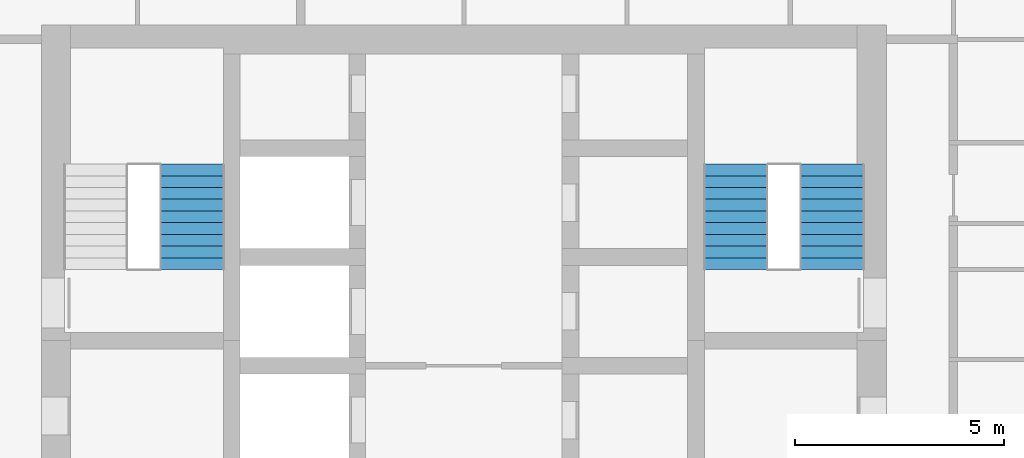
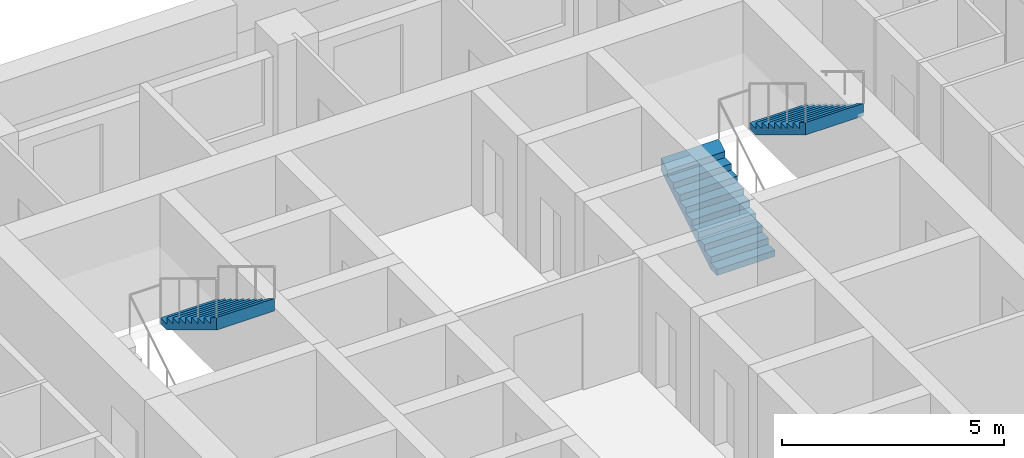
# One storey, part 15 of 17: 3 stair flights, 2 elements without a shape of their own.
"""IFC4 building model written with IfcOpenShell, lengths in metres."""

from ifc_helpers import new_model, si_unit, direction, frame, origin, place, context, subcontext, project, spatial, triangles, material, type_object, element, aggregate, save


model = new_model("IFC4")

# Units and contexts
model_context = context("Model", 3, precision=1e-05, world=origin(), true_north=direction((0.0, 1.0)))
body_context = subcontext(model_context, "Body", "Model", "MODEL_VIEW")
ifc_project = project(units=[si_unit("LENGTHUNIT", "METRE"), si_unit("AREAUNIT", "SQUARE_METRE"), si_unit("VOLUMEUNIT", "CUBIC_METRE"), si_unit("PLANEANGLEUNIT", "RADIAN"), si_unit("MASSUNIT", "GRAM", prefix="KILO")], contexts=[model_context])

# Site, building, storey
site_placement = place(None, origin())
site = spatial("IfcSite", under=ifc_project, at=site_placement, CompositionType="ELEMENT")
building_placement = place(site_placement, origin())
building = spatial("IfcBuilding", under=site, at=building_placement, Name="Ludao Terraces", CompositionType="ELEMENT")
storey_placement = place(building_placement, frame((0.0, 0.0, 39.89990234375)))
storey = spatial("IfcBuildingStorey", under=building, at=storey_placement, Name="L10", CompositionType="ELEMENT", Elevation=39.89990234375)

# Stair, stair flight
ifc_material = material(Name="Concrete C40", Category="concrete")
stair_type = type_object("IfcStairType", Name="INT Stair", PredefinedType="HALF_TURN_STAIR", material=ifc_material)
stair_1_placement = place(storey_placement, origin())
stair_1 = element("IfcStair", 1, at=stair_1_placement, inside=storey, type_object=stair_type, Name="EXIT STAIR 1", PredefinedType="HALF_TURN_STAIR")
stair_flight_type = type_object("IfcStairFlightType", Name="INT Stair flight", PredefinedType="STRAIGHT", material=ifc_material)
stair_flight_1_placement = place(storey_placement, frame((78.5, 81.52001953125, 1.7001953125), z_axis=(0.0, 0.0, 1.0), x_axis=(0.0, -1.0, 0.0)))
stair_flight_1 = element("IfcStairFlight", 2, at=stair_flight_1_placement, type_object=stair_flight_type, Name="ST1 flight 2", NumberOfRisers=10, NumberOfTreads=9, PredefinedType="STRAIGHT", RiserHeight=0.17, TreadLength=0.28, context=body_context, shape_type="Tessellation", body=[
    triangles([(0.0, -0.75, 0.0), (0.0, -0.5, 0.0), (0.0, -0.25, 0.0), (0.0, 0.0, 0.0), (0.0, 0.25, 0.0), (0.0, 0.5, 0.0), (0.0, 0.75, 0.0), (0.0, -0.75, 0.169921875), (0.0, -0.5, 0.169921875), (0.0, -0.25, 0.169921875), (0.0, 0.0, 0.169921875), (0.0, 0.25, 0.169921875), (0.0, 0.5, 0.169921875), (0.0, 0.75, 0.169921875), (0.280029296875, -0.75, 0.169921875), (0.280029296875, -0.5, 0.169921875), (0.280029296875, -0.25, 0.169921875), (0.280029296875, 0.0, 0.169921875), (0.280029296875, 0.25, 0.169921875), (0.280029296875, 0.5, 0.169921875), (0.280029296875, 0.75, 0.169921875), (0.280029296875, -0.75, 0.340087890625), (0.280029296875, -0.5, 0.340087890625), (0.280029296875, -0.25, 0.340087890625), (0.280029296875, 0.0, 0.340087890625), (0.280029296875, 0.25, 0.340087890625), (0.280029296875, 0.5, 0.340087890625), (0.280029296875, 0.75, 0.340087890625), (0.56005859375, -0.75, 0.340087890625), (0.56005859375, -0.5, 0.340087890625), (0.56005859375, -0.25, 0.340087890625), (0.56005859375, 0.0, 0.340087890625), (0.56005859375, 0.25, 0.340087890625), (0.56005859375, 0.5, 0.340087890625), (0.56005859375, 0.75, 0.340087890625), (0.56005859375, -0.75, 0.510009765625), (0.56005859375, -0.5, 0.510009765625), (0.56005859375, -0.25, 0.510009765625), (0.56005859375, 0.0, 0.510009765625), (0.56005859375, 0.25, 0.510009765625), (0.56005859375, 0.5, 0.510009765625), (0.56005859375, 0.75, 0.510009765625), (0.840087890625, -0.75, 0.510009765625), (0.840087890625, -0.5, 0.510009765625), (0.840087890625, -0.25, 0.510009765625), (0.840087890625, 0.0, 0.510009765625), (0.840087890625, 0.25, 0.510009765625), (0.840087890625, 0.5, 0.510009765625), (0.840087890625, 0.75, 0.510009765625), (0.840087890625, -0.75, 0.679931640625), (0.840087890625, -0.5, 0.679931640625), (0.840087890625, -0.25, 0.679931640625), (0.840087890625, 0.0, 0.679931640625), (0.840087890625, 0.25, 0.679931640625), (0.840087890625, 0.5, 0.679931640625), (0.840087890625, 0.75, 0.679931640625), (1.1201171875, -0.75, 0.679931640625), (1.1201171875, -0.5, 0.679931640625), (1.1201171875, -0.25, 0.679931640625), (1.1201171875, 0.0, 0.679931640625), (1.1201171875, 0.25, 0.679931640625), (1.1201171875, 0.5, 0.679931640625), (1.1201171875, 0.75, 0.679931640625), (1.1201171875, -0.75, 0.85009765625), (1.1201171875, -0.5, 0.85009765625), (1.1201171875, -0.25, 0.85009765625), (1.1201171875, 0.0, 0.85009765625), (1.1201171875, 0.25, 0.85009765625), (1.1201171875, 0.5, 0.85009765625), (1.1201171875, 0.75, 0.85009765625), (1.39990234375, -0.75, 0.85009765625), (1.39990234375, -0.5, 0.85009765625), (1.39990234375, -0.25, 0.85009765625), (1.39990234375, 0.0, 0.85009765625), (1.39990234375, 0.25, 0.85009765625), (1.39990234375, 0.5, 0.85009765625), (1.39990234375, 0.75, 0.85009765625), (1.39990234375, -0.75, 1.02001953125), (1.39990234375, -0.5, 1.02001953125), (1.39990234375, -0.25, 1.02001953125), (1.39990234375, 0.0, 1.02001953125), (1.39990234375, 0.25, 1.02001953125), (1.39990234375, 0.5, 1.02001953125), (1.39990234375, 0.75, 1.02001953125), (1.679931640625, -0.75, 1.02001953125), (1.679931640625, -0.5, 1.02001953125), (1.679931640625, -0.25, 1.02001953125), (1.679931640625, 0.0, 1.02001953125), (1.679931640625, 0.25, 1.02001953125), (1.679931640625, 0.5, 1.02001953125), (1.679931640625, 0.75, 1.02001953125), (1.679931640625, -0.75, 1.18994140625), (1.679931640625, -0.5, 1.18994140625), (1.679931640625, -0.25, 1.18994140625), (1.679931640625, 0.0, 1.18994140625), (1.679931640625, 0.25, 1.18994140625), (1.679931640625, 0.5, 1.18994140625), (1.679931640625, 0.75, 1.18994140625), (1.9599609375, -0.75, 1.18994140625), (1.9599609375, -0.5, 1.18994140625), (1.9599609375, -0.25, 1.18994140625), (1.9599609375, 0.0, 1.18994140625), (1.9599609375, 0.25, 1.18994140625), (1.9599609375, 0.5, 1.18994140625), (1.9599609375, 0.75, 1.18994140625), (1.9599609375, -0.75, 1.360107421875), (1.9599609375, -0.5, 1.360107421875), (1.9599609375, -0.25, 1.360107421875), (1.9599609375, 0.0, 1.360107421875), (1.9599609375, 0.25, 1.360107421875), (1.9599609375, 0.5, 1.360107421875), (1.9599609375, 0.75, 1.360107421875), (2.239990234375, -0.75, 1.360107421875), (2.239990234375, -0.5, 1.360107421875), (2.239990234375, -0.25, 1.360107421875), (2.239990234375, 0.0, 1.360107421875), (2.239990234375, 0.25, 1.360107421875), (2.239990234375, 0.5, 1.360107421875), (2.239990234375, 0.75, 1.360107421875), (2.239990234375, -0.75, 1.530029296875), (2.239990234375, -0.5, 1.530029296875), (2.239990234375, -0.25, 1.530029296875), (2.239990234375, 0.0, 1.530029296875), (2.239990234375, 0.25, 1.530029296875), (2.239990234375, 0.5, 1.530029296875), (2.239990234375, 0.75, 1.530029296875), (2.52001953125, -0.75, 1.699951171875), (2.52001953125, -0.5, 1.699951171875), (2.52001953125, -0.25, 1.699951171875), (2.52001953125, 0.0, 1.699951171875), (2.52001953125, 0.25, 1.699951171875), (2.52001953125, 0.5, 1.699951171875), (2.52001953125, 0.75, 1.699951171875), (2.52001953125, -0.75, 1.354736328125), (2.52001953125, -0.5, 1.354736328125), (2.52001953125, -0.25, 1.354736328125), (2.52001953125, 0.0, 1.354736328125), (2.52001953125, 0.25, 1.354736328125), (2.52001953125, 0.5, 1.354736328125), (2.52001953125, 0.75, 1.354736328125), (0.288818359375, -0.75, 0.0), (0.288818359375, -0.5, 0.0), (0.288818359375, -0.25, 0.0), (0.288818359375, 0.0, 0.0), (0.288818359375, 0.25, 0.0), (0.288818359375, 0.5, 0.0), (0.288818359375, 0.75, 0.0)], [[1, 141, 134], [7, 140, 147], [134, 127, 120], [140, 126, 133], [134, 120, 113], [140, 119, 126], [134, 113, 106], [140, 112, 119], [134, 106, 99], [140, 105, 112], [99, 92, 85], [105, 91, 98], [134, 99, 85], [140, 91, 105], [85, 78, 71], [91, 77, 84], [134, 85, 71], [140, 77, 91], [71, 64, 57], [77, 63, 70], [134, 71, 57], [140, 63, 77], [57, 50, 43], [63, 49, 56], [134, 57, 43], [140, 49, 63], [43, 36, 29], [49, 35, 42], [134, 43, 29], [140, 35, 49], [29, 22, 15], [35, 21, 28], [134, 29, 15], [140, 21, 35], [1, 134, 15], [7, 21, 140], [15, 8, 1], [21, 7, 14], [1, 9, 2], [1, 8, 9], [2, 10, 3], [2, 9, 10], [3, 11, 4], [3, 10, 11], [4, 12, 5], [4, 11, 12], [5, 13, 6], [5, 12, 13], [6, 14, 7], [6, 13, 14], [8, 16, 9], [8, 15, 16], [9, 17, 10], [9, 16, 17], [10, 18, 11], [10, 17, 18], [11, 19, 12], [11, 18, 19], [12, 20, 13], [12, 19, 20], [13, 21, 14], [13, 20, 21], [15, 23, 16], [15, 22, 23], [16, 24, 17], [16, 23, 24], [17, 25, 18], [17, 24, 25], [18, 26, 19], [18, 25, 26], [19, 27, 20], [19, 26, 27], [20, 28, 21], [20, 27, 28], [22, 30, 23], [22, 29, 30], [23, 31, 24], [23, 30, 31], [24, 32, 25], [24, 31, 32], [25, 33, 26], [25, 32, 33], [26, 34, 27], [26, 33, 34], [27, 35, 28], [27, 34, 35], [29, 37, 30], [29, 36, 37], [30, 38, 31], [30, 37, 38], [31, 39, 32], [31, 38, 39], [32, 40, 33], [32, 39, 40], [33, 41, 34], [33, 40, 41], [34, 42, 35], [34, 41, 42], [36, 44, 37], [36, 43, 44], [37, 45, 38], [37, 44, 45], [38, 46, 39], [38, 45, 46], [39, 47, 40], [39, 46, 47], [40, 48, 41], [40, 47, 48], [41, 49, 42], [41, 48, 49], [43, 51, 44], [43, 50, 51], [44, 52, 45], [44, 51, 52], [45, 53, 46], [45, 52, 53], [46, 54, 47], [46, 53, 54], [47, 55, 48], [47, 54, 55], [48, 56, 49], [48, 55, 56], [50, 58, 51], [50, 57, 58], [51, 59, 52], [51, 58, 59], [52, 60, 53], [52, 59, 60], [53, 61, 54], [53, 60, 61], [54, 62, 55], [54, 61, 62], [55, 63, 56], [55, 62, 63], [57, 65, 58], [57, 64, 65], [58, 66, 59], [58, 65, 66], [59, 67, 60], [59, 66, 67], [60, 68, 61], [60, 67, 68], [61, 69, 62], [61, 68, 69], [62, 70, 63], [62, 69, 70], [64, 72, 65], [64, 71, 72], [65, 73, 66], [65, 72, 73], [66, 74, 67], [66, 73, 74], [67, 75, 68], [67, 74, 75], [68, 76, 69], [68, 75, 76], [69, 77, 70], [69, 76, 77], [71, 79, 72], [71, 78, 79], [72, 80, 73], [72, 79, 80], [73, 81, 74], [73, 80, 81], [74, 82, 75], [74, 81, 82], [75, 83, 76], [75, 82, 83], [76, 84, 77], [76, 83, 84], [78, 86, 79], [78, 85, 86], [79, 87, 80], [79, 86, 87], [80, 88, 81], [80, 87, 88], [81, 89, 82], [81, 88, 89], [82, 90, 83], [82, 89, 90], [83, 91, 84], [83, 90, 91], [85, 93, 86], [85, 92, 93], [86, 94, 87], [86, 93, 94], [87, 95, 88], [87, 94, 95], [88, 96, 89], [88, 95, 96], [89, 97, 90], [89, 96, 97], [90, 98, 91], [90, 97, 98], [92, 100, 93], [92, 99, 100], [93, 101, 94], [93, 100, 101], [94, 102, 95], [94, 101, 102], [95, 103, 96], [95, 102, 103], [96, 104, 97], [96, 103, 104], [97, 105, 98], [97, 104, 105], [99, 107, 100], [99, 106, 107], [100, 108, 101], [100, 107, 108], [101, 109, 102], [101, 108, 109], [102, 110, 103], [102, 109, 110], [103, 111, 104], [103, 110, 111], [104, 112, 105], [104, 111, 112], [106, 114, 107], [106, 113, 114], [107, 115, 108], [107, 114, 115], [108, 116, 109], [108, 115, 116], [109, 117, 110], [109, 116, 117], [110, 118, 111], [110, 117, 118], [111, 119, 112], [111, 118, 119], [113, 121, 114], [113, 120, 121], [114, 122, 115], [114, 121, 122], [115, 123, 116], [115, 122, 123], [116, 124, 117], [116, 123, 124], [117, 125, 118], [117, 124, 125], [118, 126, 119], [118, 125, 126], [120, 128, 121], [120, 127, 128], [121, 129, 122], [121, 128, 129], [122, 130, 123], [122, 129, 130], [123, 131, 124], [123, 130, 131], [124, 132, 125], [124, 131, 132], [125, 133, 126], [125, 132, 133], [127, 135, 128], [127, 134, 135], [128, 136, 129], [128, 135, 136], [129, 137, 130], [129, 136, 137], [130, 138, 131], [130, 137, 138], [131, 139, 132], [131, 138, 139], [132, 140, 133], [132, 139, 140], [134, 142, 135], [134, 141, 142], [135, 143, 136], [135, 142, 143], [136, 144, 137], [136, 143, 144], [137, 145, 138], [137, 144, 145], [138, 146, 139], [138, 145, 146], [139, 147, 140], [139, 146, 147], [141, 2, 142], [141, 1, 2], [142, 3, 143], [142, 2, 3], [143, 4, 144], [143, 3, 4], [144, 5, 145], [144, 4, 5], [145, 6, 146], [145, 5, 6], [146, 7, 147], [146, 6, 7]], closed=True),
])
aggregate(stair_1, [stair_flight_1])

# Stair, stair flights
stair_2_placement = place(storey_placement, origin())
stair_2 = element("IfcStair", 3, at=stair_2_placement, inside=storey, type_object=stair_type, Name="EXIT STAIR 2", PredefinedType="HALF_TURN_STAIR")
stair_flight_2_placement = place(storey_placement, frame((91.5, 79.0, 0.0), z_axis=(0.0, 0.0, 1.0), x_axis=(0.0, 1.0, 0.0)))
stair_flight_2 = element("IfcStairFlight", 4, at=stair_flight_2_placement, type_object=stair_flight_type, Name="ST2 flight 1", NumberOfRisers=10, NumberOfTreads=9, PredefinedType="STRAIGHT", RiserHeight=0.17, TreadLength=0.28, context=body_context, shape_type="Tessellation", body=[
    triangles([(0.0, -0.75, 0.0), (0.0, -0.5, 0.0), (0.0, -0.25, 0.0), (0.0, 0.0, 0.0), (0.0, 0.25, 0.0), (0.0, 0.5, 0.0), (0.0, 0.75, 0.0), (0.0, -0.75, 0.169921875), (0.0, -0.5, 0.169921875), (0.0, -0.25, 0.169921875), (0.0, 0.0, 0.169921875), (0.0, 0.25, 0.169921875), (0.0, 0.5, 0.169921875), (0.0, 0.75, 0.169921875), (0.280029296875, -0.75, 0.169921875), (0.280029296875, -0.5, 0.169921875), (0.280029296875, -0.25, 0.169921875), (0.280029296875, 0.0, 0.169921875), (0.280029296875, 0.25, 0.169921875), (0.280029296875, 0.5, 0.169921875), (0.280029296875, 0.75, 0.169921875), (0.280029296875, -0.75, 0.340087890625), (0.280029296875, -0.5, 0.340087890625), (0.280029296875, -0.25, 0.340087890625), (0.280029296875, 0.0, 0.340087890625), (0.280029296875, 0.25, 0.340087890625), (0.280029296875, 0.5, 0.340087890625), (0.280029296875, 0.75, 0.340087890625), (0.56005859375, -0.75, 0.340087890625), (0.56005859375, -0.5, 0.340087890625), (0.56005859375, -0.25, 0.340087890625), (0.56005859375, 0.0, 0.340087890625), (0.56005859375, 0.25, 0.340087890625), (0.56005859375, 0.5, 0.340087890625), (0.56005859375, 0.75, 0.340087890625), (0.56005859375, -0.75, 0.510009765625), (0.56005859375, -0.5, 0.510009765625), (0.56005859375, -0.25, 0.510009765625), (0.56005859375, 0.0, 0.510009765625), (0.56005859375, 0.25, 0.510009765625), (0.56005859375, 0.5, 0.510009765625), (0.56005859375, 0.75, 0.510009765625), (0.840087890625, -0.75, 0.510009765625), (0.840087890625, -0.5, 0.510009765625), (0.840087890625, -0.25, 0.510009765625), (0.840087890625, 0.0, 0.510009765625), (0.840087890625, 0.25, 0.510009765625), (0.840087890625, 0.5, 0.510009765625), (0.840087890625, 0.75, 0.510009765625), (0.840087890625, -0.75, 0.679931640625), (0.840087890625, -0.5, 0.679931640625), (0.840087890625, -0.25, 0.679931640625), (0.840087890625, 0.0, 0.679931640625), (0.840087890625, 0.25, 0.679931640625), (0.840087890625, 0.5, 0.679931640625), (0.840087890625, 0.75, 0.679931640625), (1.1201171875, -0.75, 0.679931640625), (1.1201171875, -0.5, 0.679931640625), (1.1201171875, -0.25, 0.679931640625), (1.1201171875, 0.0, 0.679931640625), (1.1201171875, 0.25, 0.679931640625), (1.1201171875, 0.5, 0.679931640625), (1.1201171875, 0.75, 0.679931640625), (1.1201171875, -0.75, 0.85009765625), (1.1201171875, -0.5, 0.85009765625), (1.1201171875, -0.25, 0.85009765625), (1.1201171875, 0.0, 0.85009765625), (1.1201171875, 0.25, 0.85009765625), (1.1201171875, 0.5, 0.85009765625), (1.1201171875, 0.75, 0.85009765625), (1.39990234375, -0.75, 0.85009765625), (1.39990234375, -0.5, 0.85009765625), (1.39990234375, -0.25, 0.85009765625), (1.39990234375, 0.0, 0.85009765625), (1.39990234375, 0.25, 0.85009765625), (1.39990234375, 0.5, 0.85009765625), (1.39990234375, 0.75, 0.85009765625), (1.39990234375, -0.75, 1.02001953125), (1.39990234375, -0.5, 1.02001953125), (1.39990234375, -0.25, 1.02001953125), (1.39990234375, 0.0, 1.02001953125), (1.39990234375, 0.25, 1.02001953125), (1.39990234375, 0.5, 1.02001953125), (1.39990234375, 0.75, 1.02001953125), (1.679931640625, -0.75, 1.02001953125), (1.679931640625, -0.5, 1.02001953125), (1.679931640625, -0.25, 1.02001953125), (1.679931640625, 0.0, 1.02001953125), (1.679931640625, 0.25, 1.02001953125), (1.679931640625, 0.5, 1.02001953125), (1.679931640625, 0.75, 1.02001953125), (1.679931640625, -0.75, 1.18994140625), (1.679931640625, -0.5, 1.18994140625), (1.679931640625, -0.25, 1.18994140625), (1.679931640625, 0.0, 1.18994140625), (1.679931640625, 0.25, 1.18994140625), (1.679931640625, 0.5, 1.18994140625), (1.679931640625, 0.75, 1.18994140625), (1.9599609375, -0.75, 1.18994140625), (1.9599609375, -0.5, 1.18994140625), (1.9599609375, -0.25, 1.18994140625), (1.9599609375, 0.0, 1.18994140625), (1.9599609375, 0.25, 1.18994140625), (1.9599609375, 0.5, 1.18994140625), (1.9599609375, 0.75, 1.18994140625), (1.9599609375, -0.75, 1.360107421875), (1.9599609375, -0.5, 1.360107421875), (1.9599609375, -0.25, 1.360107421875), (1.9599609375, 0.0, 1.360107421875), (1.9599609375, 0.25, 1.360107421875), (1.9599609375, 0.5, 1.360107421875), (1.9599609375, 0.75, 1.360107421875), (2.239990234375, -0.75, 1.360107421875), (2.239990234375, -0.5, 1.360107421875), (2.239990234375, -0.25, 1.360107421875), (2.239990234375, 0.0, 1.360107421875), (2.239990234375, 0.25, 1.360107421875), (2.239990234375, 0.5, 1.360107421875), (2.239990234375, 0.75, 1.360107421875), (2.239990234375, -0.75, 1.530029296875), (2.239990234375, -0.5, 1.530029296875), (2.239990234375, -0.25, 1.530029296875), (2.239990234375, 0.0, 1.530029296875), (2.239990234375, 0.25, 1.530029296875), (2.239990234375, 0.5, 1.530029296875), (2.239990234375, 0.75, 1.530029296875), (2.52001953125, -0.75, 1.699951171875), (2.52001953125, -0.5, 1.699951171875), (2.52001953125, -0.25, 1.699951171875), (2.52001953125, 0.0, 1.699951171875), (2.52001953125, 0.25, 1.699951171875), (2.52001953125, 0.5, 1.699951171875), (2.52001953125, 0.75, 1.699951171875), (2.52001953125, -0.75, 1.354736328125), (2.52001953125, -0.5, 1.354736328125), (2.52001953125, -0.25, 1.354736328125), (2.52001953125, 0.0, 1.354736328125), (2.52001953125, 0.25, 1.354736328125), (2.52001953125, 0.5, 1.354736328125), (2.52001953125, 0.75, 1.354736328125), (0.288818359375, -0.75, 0.0), (0.288818359375, -0.5, 0.0), (0.288818359375, -0.25, 0.0), (0.288818359375, 0.0, 0.0), (0.288818359375, 0.25, 0.0), (0.288818359375, 0.5, 0.0), (0.288818359375, 0.75, 0.0)], [[1, 141, 134], [7, 140, 147], [134, 127, 120], [140, 126, 133], [134, 120, 113], [140, 119, 126], [134, 113, 106], [140, 112, 119], [134, 106, 99], [140, 105, 112], [99, 92, 85], [105, 91, 98], [134, 99, 85], [140, 91, 105], [85, 78, 71], [91, 77, 84], [134, 85, 71], [140, 77, 91], [71, 64, 57], [77, 63, 70], [134, 71, 57], [140, 63, 77], [57, 50, 43], [63, 49, 56], [134, 57, 43], [140, 49, 63], [43, 36, 29], [49, 35, 42], [134, 43, 29], [140, 35, 49], [29, 22, 15], [35, 21, 28], [134, 29, 15], [140, 21, 35], [1, 134, 15], [7, 21, 140], [15, 8, 1], [21, 7, 14], [1, 9, 2], [1, 8, 9], [2, 10, 3], [2, 9, 10], [3, 11, 4], [3, 10, 11], [4, 12, 5], [4, 11, 12], [5, 13, 6], [5, 12, 13], [6, 14, 7], [6, 13, 14], [8, 16, 9], [8, 15, 16], [9, 17, 10], [9, 16, 17], [10, 18, 11], [10, 17, 18], [11, 19, 12], [11, 18, 19], [12, 20, 13], [12, 19, 20], [13, 21, 14], [13, 20, 21], [15, 23, 16], [15, 22, 23], [16, 24, 17], [16, 23, 24], [17, 25, 18], [17, 24, 25], [18, 26, 19], [18, 25, 26], [19, 27, 20], [19, 26, 27], [20, 28, 21], [20, 27, 28], [22, 30, 23], [22, 29, 30], [23, 31, 24], [23, 30, 31], [24, 32, 25], [24, 31, 32], [25, 33, 26], [25, 32, 33], [26, 34, 27], [26, 33, 34], [27, 35, 28], [27, 34, 35], [29, 37, 30], [29, 36, 37], [30, 38, 31], [30, 37, 38], [31, 39, 32], [31, 38, 39], [32, 40, 33], [32, 39, 40], [33, 41, 34], [33, 40, 41], [34, 42, 35], [34, 41, 42], [36, 44, 37], [36, 43, 44], [37, 45, 38], [37, 44, 45], [38, 46, 39], [38, 45, 46], [39, 47, 40], [39, 46, 47], [40, 48, 41], [40, 47, 48], [41, 49, 42], [41, 48, 49], [43, 51, 44], [43, 50, 51], [44, 52, 45], [44, 51, 52], [45, 53, 46], [45, 52, 53], [46, 54, 47], [46, 53, 54], [47, 55, 48], [47, 54, 55], [48, 56, 49], [48, 55, 56], [50, 58, 51], [50, 57, 58], [51, 59, 52], [51, 58, 59], [52, 60, 53], [52, 59, 60], [53, 61, 54], [53, 60, 61], [54, 62, 55], [54, 61, 62], [55, 63, 56], [55, 62, 63], [57, 65, 58], [57, 64, 65], [58, 66, 59], [58, 65, 66], [59, 67, 60], [59, 66, 67], [60, 68, 61], [60, 67, 68], [61, 69, 62], [61, 68, 69], [62, 70, 63], [62, 69, 70], [64, 72, 65], [64, 71, 72], [65, 73, 66], [65, 72, 73], [66, 74, 67], [66, 73, 74], [67, 75, 68], [67, 74, 75], [68, 76, 69], [68, 75, 76], [69, 77, 70], [69, 76, 77], [71, 79, 72], [71, 78, 79], [72, 80, 73], [72, 79, 80], [73, 81, 74], [73, 80, 81], [74, 82, 75], [74, 81, 82], [75, 83, 76], [75, 82, 83], [76, 84, 77], [76, 83, 84], [78, 86, 79], [78, 85, 86], [79, 87, 80], [79, 86, 87], [80, 88, 81], [80, 87, 88], [81, 89, 82], [81, 88, 89], [82, 90, 83], [82, 89, 90], [83, 91, 84], [83, 90, 91], [85, 93, 86], [85, 92, 93], [86, 94, 87], [86, 93, 94], [87, 95, 88], [87, 94, 95], [88, 96, 89], [88, 95, 96], [89, 97, 90], [89, 96, 97], [90, 98, 91], [90, 97, 98], [92, 100, 93], [92, 99, 100], [93, 101, 94], [93, 100, 101], [94, 102, 95], [94, 101, 102], [95, 103, 96], [95, 102, 103], [96, 104, 97], [96, 103, 104], [97, 105, 98], [97, 104, 105], [99, 107, 100], [99, 106, 107], [100, 108, 101], [100, 107, 108], [101, 109, 102], [101, 108, 109], [102, 110, 103], [102, 109, 110], [103, 111, 104], [103, 110, 111], [104, 112, 105], [104, 111, 112], [106, 114, 107], [106, 113, 114], [107, 115, 108], [107, 114, 115], [108, 116, 109], [108, 115, 116], [109, 117, 110], [109, 116, 117], [110, 118, 111], [110, 117, 118], [111, 119, 112], [111, 118, 119], [113, 121, 114], [113, 120, 121], [114, 122, 115], [114, 121, 122], [115, 123, 116], [115, 122, 123], [116, 124, 117], [116, 123, 124], [117, 125, 118], [117, 124, 125], [118, 126, 119], [118, 125, 126], [120, 128, 121], [120, 127, 128], [121, 129, 122], [121, 128, 129], [122, 130, 123], [122, 129, 130], [123, 131, 124], [123, 130, 131], [124, 132, 125], [124, 131, 132], [125, 133, 126], [125, 132, 133], [127, 135, 128], [127, 134, 135], [128, 136, 129], [128, 135, 136], [129, 137, 130], [129, 136, 137], [130, 138, 131], [130, 137, 138], [131, 139, 132], [131, 138, 139], [132, 140, 133], [132, 139, 140], [134, 142, 135], [134, 141, 142], [135, 143, 136], [135, 142, 143], [136, 144, 137], [136, 143, 144], [137, 145, 138], [137, 144, 145], [138, 146, 139], [138, 145, 146], [139, 147, 140], [139, 146, 147], [141, 2, 142], [141, 1, 2], [142, 3, 143], [142, 2, 3], [143, 4, 144], [143, 3, 4], [144, 5, 145], [144, 4, 5], [145, 6, 146], [145, 5, 6], [146, 7, 147], [146, 6, 7]], closed=True),
])
stair_flight_3_placement = place(storey_placement, frame((93.800048828125, 81.52001953125, 1.7001953125), z_axis=(0.0, 0.0, 1.0), x_axis=(0.0, -1.0, 0.0)))
stair_flight_3 = element("IfcStairFlight", 5, at=stair_flight_3_placement, type_object=stair_flight_type, Name="ST2 flight 2", NumberOfRisers=10, NumberOfTreads=9, PredefinedType="STRAIGHT", RiserHeight=0.17, TreadLength=0.28, context=body_context, shape_type="Tessellation", body=[
    triangles([(0.0, -0.75, 0.0), (0.0, -0.5, 0.0), (0.0, -0.25, 0.0), (0.0, 0.0, 0.0), (0.0, 0.25, 0.0), (0.0, 0.5, 0.0), (0.0, 0.75, 0.0), (0.0, -0.75, 0.169921875), (0.0, -0.5, 0.169921875), (0.0, -0.25, 0.169921875), (0.0, 0.0, 0.169921875), (0.0, 0.25, 0.169921875), (0.0, 0.5, 0.169921875), (0.0, 0.75, 0.169921875), (0.280029296875, -0.75, 0.169921875), (0.280029296875, -0.5, 0.169921875), (0.280029296875, -0.25, 0.169921875), (0.280029296875, 0.0, 0.169921875), (0.280029296875, 0.25, 0.169921875), (0.280029296875, 0.5, 0.169921875), (0.280029296875, 0.75, 0.169921875), (0.280029296875, -0.75, 0.340087890625), (0.280029296875, -0.5, 0.340087890625), (0.280029296875, -0.25, 0.340087890625), (0.280029296875, 0.0, 0.340087890625), (0.280029296875, 0.25, 0.340087890625), (0.280029296875, 0.5, 0.340087890625), (0.280029296875, 0.75, 0.340087890625), (0.56005859375, -0.75, 0.340087890625), (0.56005859375, -0.5, 0.340087890625), (0.56005859375, -0.25, 0.340087890625), (0.56005859375, 0.0, 0.340087890625), (0.56005859375, 0.25, 0.340087890625), (0.56005859375, 0.5, 0.340087890625), (0.56005859375, 0.75, 0.340087890625), (0.56005859375, -0.75, 0.510009765625), (0.56005859375, -0.5, 0.510009765625), (0.56005859375, -0.25, 0.510009765625), (0.56005859375, 0.0, 0.510009765625), (0.56005859375, 0.25, 0.510009765625), (0.56005859375, 0.5, 0.510009765625), (0.56005859375, 0.75, 0.510009765625), (0.840087890625, -0.75, 0.510009765625), (0.840087890625, -0.5, 0.510009765625), (0.840087890625, -0.25, 0.510009765625), (0.840087890625, 0.0, 0.510009765625), (0.840087890625, 0.25, 0.510009765625), (0.840087890625, 0.5, 0.510009765625), (0.840087890625, 0.75, 0.510009765625), (0.840087890625, -0.75, 0.679931640625), (0.840087890625, -0.5, 0.679931640625), (0.840087890625, -0.25, 0.679931640625), (0.840087890625, 0.0, 0.679931640625), (0.840087890625, 0.25, 0.679931640625), (0.840087890625, 0.5, 0.679931640625), (0.840087890625, 0.75, 0.679931640625), (1.1201171875, -0.75, 0.679931640625), (1.1201171875, -0.5, 0.679931640625), (1.1201171875, -0.25, 0.679931640625), (1.1201171875, 0.0, 0.679931640625), (1.1201171875, 0.25, 0.679931640625), (1.1201171875, 0.5, 0.679931640625), (1.1201171875, 0.75, 0.679931640625), (1.1201171875, -0.75, 0.85009765625), (1.1201171875, -0.5, 0.85009765625), (1.1201171875, -0.25, 0.85009765625), (1.1201171875, 0.0, 0.85009765625), (1.1201171875, 0.25, 0.85009765625), (1.1201171875, 0.5, 0.85009765625), (1.1201171875, 0.75, 0.85009765625), (1.39990234375, -0.75, 0.85009765625), (1.39990234375, -0.5, 0.85009765625), (1.39990234375, -0.25, 0.85009765625), (1.39990234375, 0.0, 0.85009765625), (1.39990234375, 0.25, 0.85009765625), (1.39990234375, 0.5, 0.85009765625), (1.39990234375, 0.75, 0.85009765625), (1.39990234375, -0.75, 1.02001953125), (1.39990234375, -0.5, 1.02001953125), (1.39990234375, -0.25, 1.02001953125), (1.39990234375, 0.0, 1.02001953125), (1.39990234375, 0.25, 1.02001953125), (1.39990234375, 0.5, 1.02001953125), (1.39990234375, 0.75, 1.02001953125), (1.679931640625, -0.75, 1.02001953125), (1.679931640625, -0.5, 1.02001953125), (1.679931640625, -0.25, 1.02001953125), (1.679931640625, 0.0, 1.02001953125), (1.679931640625, 0.25, 1.02001953125), (1.679931640625, 0.5, 1.02001953125), (1.679931640625, 0.75, 1.02001953125), (1.679931640625, -0.75, 1.18994140625), (1.679931640625, -0.5, 1.18994140625), (1.679931640625, -0.25, 1.18994140625), (1.679931640625, 0.0, 1.18994140625), (1.679931640625, 0.25, 1.18994140625), (1.679931640625, 0.5, 1.18994140625), (1.679931640625, 0.75, 1.18994140625), (1.9599609375, -0.75, 1.18994140625), (1.9599609375, -0.5, 1.18994140625), (1.9599609375, -0.25, 1.18994140625), (1.9599609375, 0.0, 1.18994140625), (1.9599609375, 0.25, 1.18994140625), (1.9599609375, 0.5, 1.18994140625), (1.9599609375, 0.75, 1.18994140625), (1.9599609375, -0.75, 1.360107421875), (1.9599609375, -0.5, 1.360107421875), (1.9599609375, -0.25, 1.360107421875), (1.9599609375, 0.0, 1.360107421875), (1.9599609375, 0.25, 1.360107421875), (1.9599609375, 0.5, 1.360107421875), (1.9599609375, 0.75, 1.360107421875), (2.239990234375, -0.75, 1.360107421875), (2.239990234375, -0.5, 1.360107421875), (2.239990234375, -0.25, 1.360107421875), (2.239990234375, 0.0, 1.360107421875), (2.239990234375, 0.25, 1.360107421875), (2.239990234375, 0.5, 1.360107421875), (2.239990234375, 0.75, 1.360107421875), (2.239990234375, -0.75, 1.530029296875), (2.239990234375, -0.5, 1.530029296875), (2.239990234375, -0.25, 1.530029296875), (2.239990234375, 0.0, 1.530029296875), (2.239990234375, 0.25, 1.530029296875), (2.239990234375, 0.5, 1.530029296875), (2.239990234375, 0.75, 1.530029296875), (2.52001953125, -0.75, 1.699951171875), (2.52001953125, -0.5, 1.699951171875), (2.52001953125, -0.25, 1.699951171875), (2.52001953125, 0.0, 1.699951171875), (2.52001953125, 0.25, 1.699951171875), (2.52001953125, 0.5, 1.699951171875), (2.52001953125, 0.75, 1.699951171875), (2.52001953125, -0.75, 1.354736328125), (2.52001953125, -0.5, 1.354736328125), (2.52001953125, -0.25, 1.354736328125), (2.52001953125, 0.0, 1.354736328125), (2.52001953125, 0.25, 1.354736328125), (2.52001953125, 0.5, 1.354736328125), (2.52001953125, 0.75, 1.354736328125), (0.288818359375, -0.75, 0.0), (0.288818359375, -0.5, 0.0), (0.288818359375, -0.25, 0.0), (0.288818359375, 0.0, 0.0), (0.288818359375, 0.25, 0.0), (0.288818359375, 0.5, 0.0), (0.288818359375, 0.75, 0.0)], [[1, 141, 134], [7, 140, 147], [134, 127, 120], [140, 126, 133], [134, 120, 113], [140, 119, 126], [134, 113, 106], [140, 112, 119], [134, 106, 99], [140, 105, 112], [99, 92, 85], [105, 91, 98], [134, 99, 85], [140, 91, 105], [85, 78, 71], [91, 77, 84], [134, 85, 71], [140, 77, 91], [71, 64, 57], [77, 63, 70], [134, 71, 57], [140, 63, 77], [57, 50, 43], [63, 49, 56], [134, 57, 43], [140, 49, 63], [43, 36, 29], [49, 35, 42], [134, 43, 29], [140, 35, 49], [29, 22, 15], [35, 21, 28], [134, 29, 15], [140, 21, 35], [1, 134, 15], [7, 21, 140], [15, 8, 1], [21, 7, 14], [1, 9, 2], [1, 8, 9], [2, 10, 3], [2, 9, 10], [3, 11, 4], [3, 10, 11], [4, 12, 5], [4, 11, 12], [5, 13, 6], [5, 12, 13], [6, 14, 7], [6, 13, 14], [8, 16, 9], [8, 15, 16], [9, 17, 10], [9, 16, 17], [10, 18, 11], [10, 17, 18], [11, 19, 12], [11, 18, 19], [12, 20, 13], [12, 19, 20], [13, 21, 14], [13, 20, 21], [15, 23, 16], [15, 22, 23], [16, 24, 17], [16, 23, 24], [17, 25, 18], [17, 24, 25], [18, 26, 19], [18, 25, 26], [19, 27, 20], [19, 26, 27], [20, 28, 21], [20, 27, 28], [22, 30, 23], [22, 29, 30], [23, 31, 24], [23, 30, 31], [24, 32, 25], [24, 31, 32], [25, 33, 26], [25, 32, 33], [26, 34, 27], [26, 33, 34], [27, 35, 28], [27, 34, 35], [29, 37, 30], [29, 36, 37], [30, 38, 31], [30, 37, 38], [31, 39, 32], [31, 38, 39], [32, 40, 33], [32, 39, 40], [33, 41, 34], [33, 40, 41], [34, 42, 35], [34, 41, 42], [36, 44, 37], [36, 43, 44], [37, 45, 38], [37, 44, 45], [38, 46, 39], [38, 45, 46], [39, 47, 40], [39, 46, 47], [40, 48, 41], [40, 47, 48], [41, 49, 42], [41, 48, 49], [43, 51, 44], [43, 50, 51], [44, 52, 45], [44, 51, 52], [45, 53, 46], [45, 52, 53], [46, 54, 47], [46, 53, 54], [47, 55, 48], [47, 54, 55], [48, 56, 49], [48, 55, 56], [50, 58, 51], [50, 57, 58], [51, 59, 52], [51, 58, 59], [52, 60, 53], [52, 59, 60], [53, 61, 54], [53, 60, 61], [54, 62, 55], [54, 61, 62], [55, 63, 56], [55, 62, 63], [57, 65, 58], [57, 64, 65], [58, 66, 59], [58, 65, 66], [59, 67, 60], [59, 66, 67], [60, 68, 61], [60, 67, 68], [61, 69, 62], [61, 68, 69], [62, 70, 63], [62, 69, 70], [64, 72, 65], [64, 71, 72], [65, 73, 66], [65, 72, 73], [66, 74, 67], [66, 73, 74], [67, 75, 68], [67, 74, 75], [68, 76, 69], [68, 75, 76], [69, 77, 70], [69, 76, 77], [71, 79, 72], [71, 78, 79], [72, 80, 73], [72, 79, 80], [73, 81, 74], [73, 80, 81], [74, 82, 75], [74, 81, 82], [75, 83, 76], [75, 82, 83], [76, 84, 77], [76, 83, 84], [78, 86, 79], [78, 85, 86], [79, 87, 80], [79, 86, 87], [80, 88, 81], [80, 87, 88], [81, 89, 82], [81, 88, 89], [82, 90, 83], [82, 89, 90], [83, 91, 84], [83, 90, 91], [85, 93, 86], [85, 92, 93], [86, 94, 87], [86, 93, 94], [87, 95, 88], [87, 94, 95], [88, 96, 89], [88, 95, 96], [89, 97, 90], [89, 96, 97], [90, 98, 91], [90, 97, 98], [92, 100, 93], [92, 99, 100], [93, 101, 94], [93, 100, 101], [94, 102, 95], [94, 101, 102], [95, 103, 96], [95, 102, 103], [96, 104, 97], [96, 103, 104], [97, 105, 98], [97, 104, 105], [99, 107, 100], [99, 106, 107], [100, 108, 101], [100, 107, 108], [101, 109, 102], [101, 108, 109], [102, 110, 103], [102, 109, 110], [103, 111, 104], [103, 110, 111], [104, 112, 105], [104, 111, 112], [106, 114, 107], [106, 113, 114], [107, 115, 108], [107, 114, 115], [108, 116, 109], [108, 115, 116], [109, 117, 110], [109, 116, 117], [110, 118, 111], [110, 117, 118], [111, 119, 112], [111, 118, 119], [113, 121, 114], [113, 120, 121], [114, 122, 115], [114, 121, 122], [115, 123, 116], [115, 122, 123], [116, 124, 117], [116, 123, 124], [117, 125, 118], [117, 124, 125], [118, 126, 119], [118, 125, 126], [120, 128, 121], [120, 127, 128], [121, 129, 122], [121, 128, 129], [122, 130, 123], [122, 129, 130], [123, 131, 124], [123, 130, 131], [124, 132, 125], [124, 131, 132], [125, 133, 126], [125, 132, 133], [127, 135, 128], [127, 134, 135], [128, 136, 129], [128, 135, 136], [129, 137, 130], [129, 136, 137], [130, 138, 131], [130, 137, 138], [131, 139, 132], [131, 138, 139], [132, 140, 133], [132, 139, 140], [134, 142, 135], [134, 141, 142], [135, 143, 136], [135, 142, 143], [136, 144, 137], [136, 143, 144], [137, 145, 138], [137, 144, 145], [138, 146, 139], [138, 145, 146], [139, 147, 140], [139, 146, 147], [141, 2, 142], [141, 1, 2], [142, 3, 143], [142, 2, 3], [143, 4, 144], [143, 3, 4], [144, 5, 145], [144, 4, 5], [145, 6, 146], [145, 5, 6], [146, 7, 147], [146, 6, 7]], closed=True),
])
aggregate(stair_2, [stair_flight_2, stair_flight_3])

save(model, "model.ifc")
